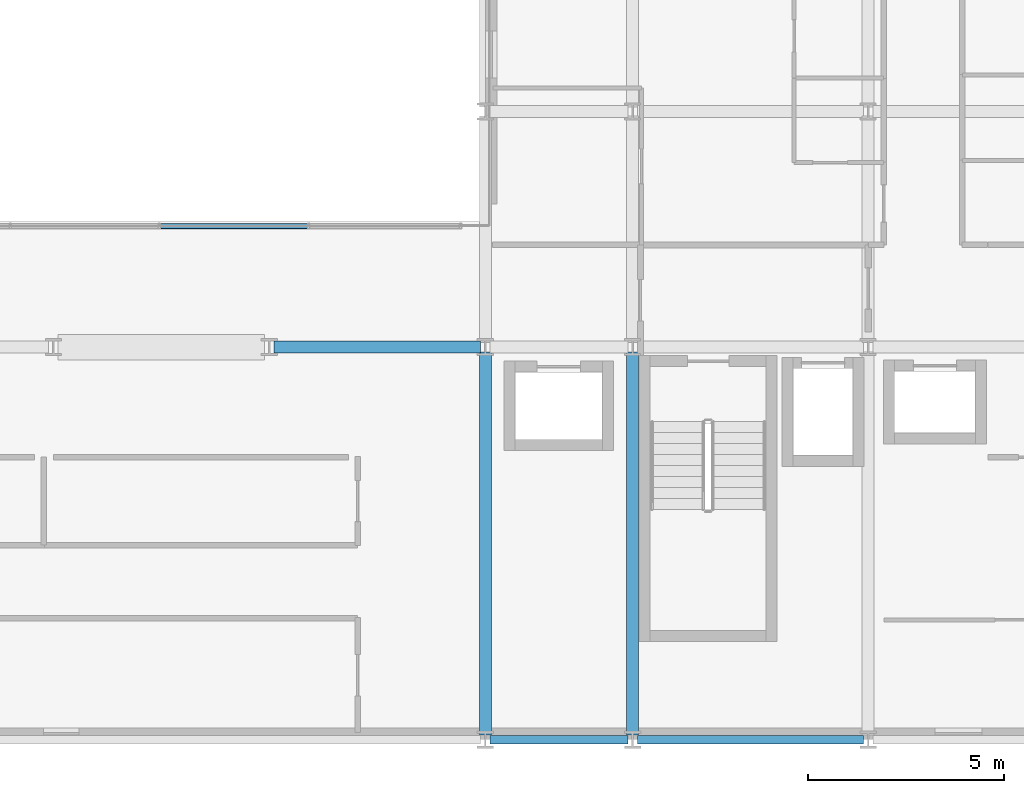
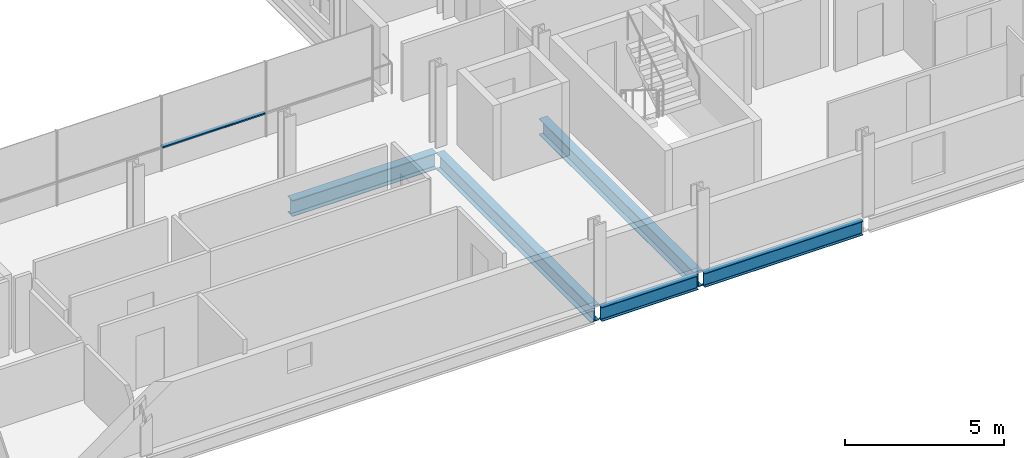
# One storey, part 12 of 39: 5 beams, 1 member, 1 element without a shape of its own.
"""IFC4 building model written with IfcOpenShell, lengths in metres."""

from ifc_helpers import new_model, si_unit, direction, frame, origin, origin_2d, place, context, subcontext, project, spatial, hollow_rectangle, i_section, extrude, material, layer, layer_set, material_profile, profile_set, type_object, element, aggregate, save


model = new_model("IFC4")

# Units and contexts
model_context = context("Model", 3, precision=1e-05, world=origin(), true_north=direction((0.0, 1.0)))
body_context = subcontext(model_context, "Body", "Model", "MODEL_VIEW")
ifc_project = project(units=[si_unit("LENGTHUNIT", "METRE"), si_unit("AREAUNIT", "SQUARE_METRE"), si_unit("VOLUMEUNIT", "CUBIC_METRE"), si_unit("PLANEANGLEUNIT", "RADIAN"), si_unit("MASSUNIT", "GRAM", prefix="KILO")], contexts=[model_context])

# Site, building, storey
site_placement = place(None, origin())
site = spatial("IfcSite", under=ifc_project, at=site_placement, CompositionType="ELEMENT")
building_placement = place(site_placement, origin())
building = spatial("IfcBuilding", under=site, at=building_placement, Name="Brevholm Reach", CompositionType="ELEMENT")
storey_placement = place(building_placement, frame((0.0, 0.0, 90.0)))
storey = spatial("IfcBuildingStorey", under=building, at=storey_placement, Name="L26", CompositionType="ELEMENT", Elevation=90.0)

# Beams
ifc_material_1 = material(Name="Structural Steel S355J2", Category="steel")
ifc_material_profile_1 = material_profile(ifc_material_1, i_section(OverallWidth=0.210693359375, OverallDepth=0.53955078125, WebThickness=0.01171875, FlangeThickness=0.018798828125, FilletRadius=0.0126953125, at=origin_2d()), Name="UKB 533x210x109")
ifc_profile_set_1 = profile_set([ifc_material_profile_1], Name="Structural Steel S355J2")
beam_type_1 = type_object("IfcBeamType", Name="BM-SP539", PredefinedType="SPANDREL", material=ifc_profile_set_1)
beam_1_placement = place(storey_placement, frame((38.3701171875, 0.0, -0.499755859375), z_axis=(1.0, 0.0, 0.0), x_axis=(0.0, 1.0, 0.0)))
element("IfcBeam", 1, at=beam_1_placement, inside=storey, type_object=beam_type_1, Name="L26 SP-01B Framing Beam", PredefinedType="SPANDREL", context=body_context, shape_type="SweptSolid", body=[
    extrude(i_section(OverallWidth=0.210693359375, OverallDepth=0.53955078125, WebThickness=0.01171875, FlangeThickness=0.018798828125, FilletRadius=0.0126953125, at=origin_2d()), origin(), (0.0, 0.0, 1.0), 3.509765625),
])
beam_2_placement = place(storey_placement, frame((42.1201171875, 0.0, -0.499755859375), z_axis=(1.0, 0.0, 0.0), x_axis=(0.0, 1.0, 0.0)))
element("IfcBeam", 2, at=beam_2_placement, inside=storey, type_object=beam_type_1, Name="L26 SP-01B Framing Beam", PredefinedType="SPANDREL", context=body_context, shape_type="SweptSolid", body=[
    extrude(i_section(OverallWidth=0.210693359375, OverallDepth=0.53955078125, WebThickness=0.01171875, FlangeThickness=0.018798828125, FilletRadius=0.0126953125, at=origin_2d()), origin(), (0.0, 0.0, 1.0), 5.759765625),
])
ifc_material_2 = material(Name="Structural Steel S355J2", Category="steel")
ifc_material_profile_2 = material_profile(ifc_material_2, i_section(OverallWidth=0.30712890625, OverallDepth=0.6201171875, WebThickness=0.01416015625, FlangeThickness=0.023681640625, FilletRadius=0.0166015625, at=origin_2d()), Name="UKB 610x305x179")
ifc_profile_set_2 = profile_set([ifc_material_profile_2], Name="Structural Steel S355J2")
beam_type_2 = type_object("IfcBeamType", Name="BM-UKB610H", PredefinedType="USERDEFINED", material=ifc_profile_set_2)
beam_3_placement = place(storey_placement, frame((32.8701171875, 10.0, -0.5400390625), z_axis=(1.0, 0.0, 0.0), x_axis=(0.0, 1.0, 0.0)))
element("IfcBeam", 3, at=beam_3_placement, inside=storey, type_object=beam_type_2, Name="L26 G-06 Framing Beam", ObjectType="GIRDER", PredefinedType="USERDEFINED", context=body_context, shape_type="SweptSolid", body=[
    extrude(i_section(OverallWidth=0.30712890625, OverallDepth=0.6201171875, WebThickness=0.01416015625, FlangeThickness=0.023681640625, FilletRadius=0.0166015625, at=origin_2d()), origin(), (0.0, 0.0, 1.0), 5.259765625),
])
for number, where, z_axis, x_axis, name in (
    (4, (38.25, 0.1201171875, -0.5400390625), (0.0, 1.0, 0.0), (-1.0, 0.0, 0.0), "L26 G-06 Framing Beam"),
    (5, (42.0, 0.1201171875, -0.5400390625), (0.0, 1.0, 0.0), (-1.0, 0.0, 0.0), "L26 G-06 Framing Beam"),
):
    element("IfcBeam", number, at=place(storey_placement, frame(where, z_axis=z_axis, x_axis=x_axis)), inside=storey, type_object=beam_type_2, Name=name, ObjectType="GIRDER", PredefinedType="USERDEFINED", context=body_context, shape_type="SweptSolid", body=[
        extrude(i_section(OverallWidth=0.30712890625, OverallDepth=0.6201171875, WebThickness=0.01416015625, FlangeThickness=0.023681640625, FilletRadius=0.0166015625, at=origin_2d()), origin(), (0.0, 0.0, 1.0), 9.759765625),
    ])

# Curtain wall, member
ifc_material_3 = material(Name="Dark Anodised Aluminium 6063-T6 and Solar-Control Glass", Category="aluminium")
ifc_layer = layer(ifc_material_3, 0.139892578125)
ifc_layer_set = layer_set([ifc_layer], Name="Dark Anodised Aluminium 6063-T6 and Solar-Control Glass")
curtain_wall_type = type_object("IfcCurtainWallType", Name="CW-02", PredefinedType="NOTDEFINED", material=ifc_layer_set)
curtain_wall_placement = place(storey_placement, origin())
curtain_wall = element("IfcCurtainWall", 6, at=curtain_wall_placement, inside=storey, type_object=curtain_wall_type, Name="L26 Curtain Wall CW-02", PredefinedType="NOTDEFINED")
ifc_material_4 = material(Name="Dark Anodised Aluminium 6063-T6", Category="aluminium")
ifc_material_profile_3 = material_profile(ifc_material_4, hollow_rectangle(XDim=0.06005859375, YDim=0.139892578125, WallThickness=0.0048828125, InnerFilletRadius=0.0048828125, OuterFilletRadius=0.010009765625, at=origin_2d()), Name="RHS 140x60x5")
ifc_profile_set_3 = profile_set([ifc_material_profile_3], Name="Dark Anodised Aluminium 6063-T6")
member_type = type_object("IfcMemberType", Name="CWT-140", PredefinedType="NOTDEFINED", material=ifc_profile_set_3)
member_placement = place(storey_placement, frame((29.97998046875, 13.080078125, 0.89990234375), z_axis=(1.0, 0.0, 0.0), x_axis=(0.0, 0.0, 1.0)))
member = element("IfcMember", 7, at=member_placement, type_object=member_type, Name="CT-140 Transom 3.1", ObjectType="TRANSOM", PredefinedType="USERDEFINED", context=body_context, shape_type="SweptSolid", body=[
    extrude(hollow_rectangle(XDim=0.06005859375, YDim=0.139892578125, WallThickness=0.0048828125, InnerFilletRadius=0.0048828125, OuterFilletRadius=0.010009765625, at=origin_2d()), origin(), (0.0, 0.0, 1.0), 3.739990234375),
])
aggregate(curtain_wall, [member])

save(model, "model.ifc")
